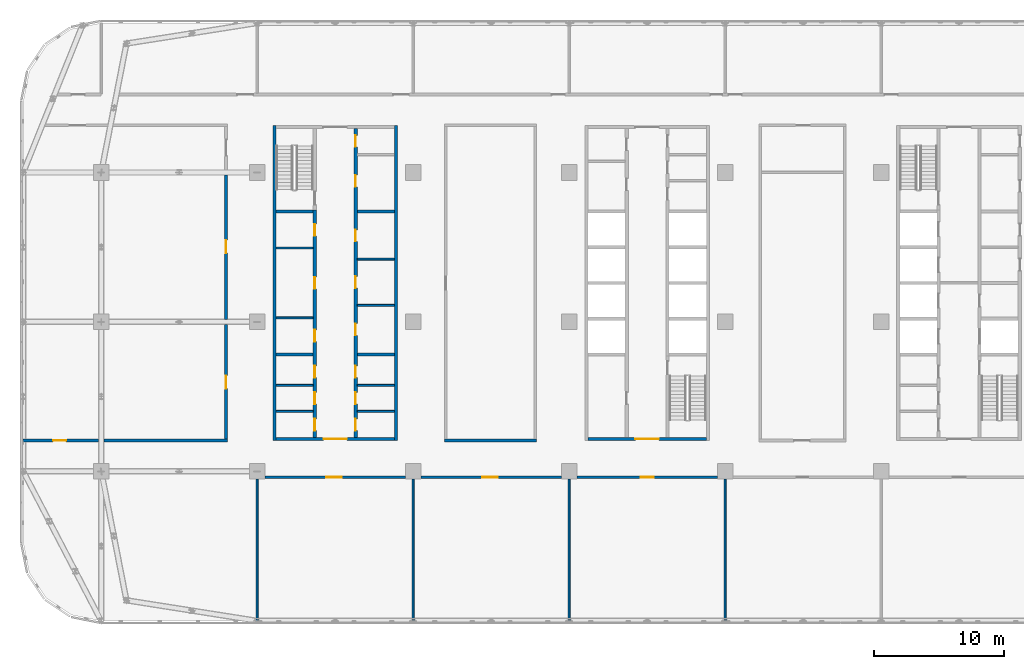
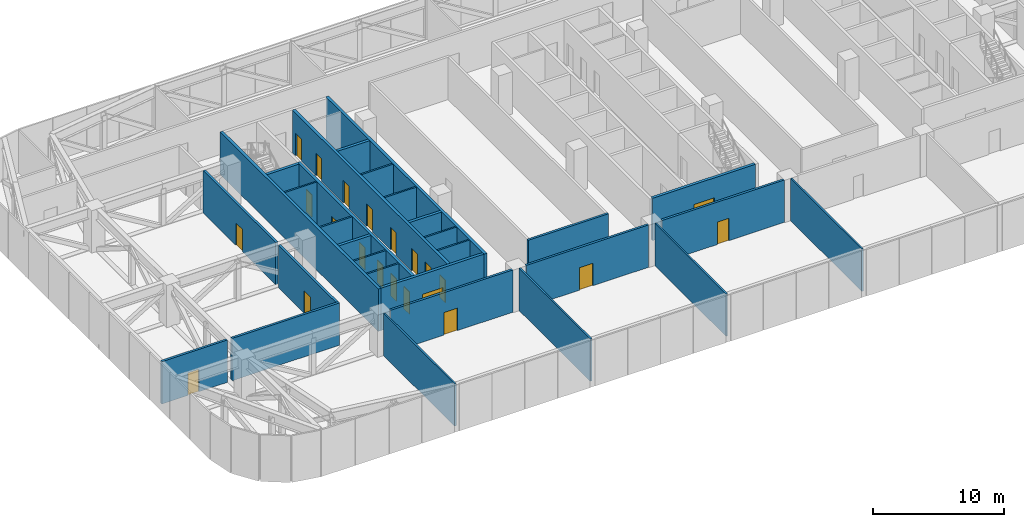
# One storey, part 9 of 26: 30 walls, 22 doors, 22 openings.
"""IFC4 building model written with IfcOpenShell, lengths in metres."""

from ifc_helpers import new_model, si_unit, direction, frame, frame_2d, origin, place, context, subcontext, project, spatial, rectangle, extrude, material, layer, layer_set, type_object, element, fill, save


model = new_model("IFC4")

# Units and contexts
model_context = context("Model", 3, precision=1e-05, world=origin(), true_north=direction((0.0, 1.0)))
body_context = subcontext(model_context, "Body", "Model", "MODEL_VIEW")
ifc_project = project(units=[si_unit("LENGTHUNIT", "METRE"), si_unit("AREAUNIT", "SQUARE_METRE"), si_unit("VOLUMEUNIT", "CUBIC_METRE"), si_unit("PLANEANGLEUNIT", "RADIAN"), si_unit("MASSUNIT", "GRAM", prefix="KILO")], contexts=[model_context])

# Site, building, storey
site_placement = place(None, origin())
site = spatial("IfcSite", under=ifc_project, at=site_placement, CompositionType="ELEMENT")
building_placement = place(site_placement, origin())
building = spatial("IfcBuilding", under=site, at=building_placement, Name="Mahtab Terrace Research Tower", CompositionType="ELEMENT")
storey_placement = place(building_placement, frame((0.0, 0.0, 189.60009765625)))
storey = spatial("IfcBuildingStorey", under=building, at=storey_placement, Name="L45", CompositionType="ELEMENT", Elevation=189.60009765625)

# Walls
ifc_material_1 = material(Name="Gypsum board partition")
ifc_layer_1 = layer(ifc_material_1, 0.14990234375)
ifc_layer_set_1 = layer_set([ifc_layer_1], Name="Core partition 150")
wall_type_1 = type_object("IfcWallType", Name="Core partition 150", PredefinedType="PARTITIONING", material=ifc_layer_set_1)
for number, where, z_axis, x_axis, name in (
    (1, (-28.550048828125, 0.3125, 0.0), (0.0, 0.0, 1.0), (1.0, 0.0, 0.0), "Core wall A pWL-269"),
    (2, (-28.550048828125, 5.6875, 0.0), (0.0, 0.0, 1.0), (1.0, 0.0, 0.0), "Core wall A pWL269"),
    (3, (-22.300048828125, 1.280029296875, 0.0), (0.0, 0.0, 1.0), (1.0, 0.0, 0.0), "Core wall A pEL-172"),
    (4, (-22.300048828125, 4.827392578125, 0.0), (0.0, 0.0, 1.0), (1.0, 0.0, 0.0), "Core wall A pEL183"),
    (5, (-28.550048828125, -6.875, 0.0), (0.0, 0.0, 1.0), (1.0, 0.0, 0.0), "Core wall A pWS-988"),
    (6, (-28.550048828125, -4.875, 0.0), (0.0, 0.0, 1.0), (1.0, 0.0, 0.0), "Core wall A pWS-788"),
    (7, (-22.300048828125, -6.875, 0.0), (0.0, 0.0, 1.0), (1.0, 0.0, 0.0), "Core wall A pES-988"),
    (8, (-22.300048828125, -4.875, 0.0), (0.0, 0.0, 1.0), (1.0, 0.0, 0.0), "Core wall A pES-788"),
):
    element("IfcWall", number, at=place(storey_placement, frame(where, z_axis=z_axis, x_axis=x_axis)), inside=storey, type_object=wall_type_1, Name=name, PredefinedType="PARTITIONING", context=body_context, shape_type="SweptSolid", body=[
        extrude(rectangle(XDim=2.85009765625, YDim=0.14990234375, at=frame_2d((1.425048828125, 0.0))), origin(), (0.0, 0.0, 1.0), 3.9599609375),
    ])
ifc_material_2 = material(Name="Concrete C70/85", Category="concrete")
ifc_layer_2 = layer(ifc_material_2, 0.25)
ifc_layer_set_2 = layer_set([ifc_layer_2], Name="Core wall 250")
wall_type_2 = type_object("IfcWallType", Name="Core wall 250", PredefinedType="SOLIDWALL", material=ifc_layer_set_2)
for number, where, z_axis, x_axis, name in (
    (9, (-28.675048828125, 15.125, 0.0), (0.0, 0.0, 1.0), (0.0, -1.0, 0.0), "Core wall A outerW"),
    (10, (-19.324951171875, -9.125, 0.0), (0.0, 0.0, 1.0), (0.0, 1.0, 0.0), "Core wall A outerE"),
):
    element("IfcWall", number, at=place(storey_placement, frame(where, z_axis=z_axis, x_axis=x_axis)), inside=storey, type_object=wall_type_2, Name=name, PredefinedType="SOLIDWALL", context=body_context, shape_type="SweptSolid", body=[
        extrude(rectangle(XDim=24.25, YDim=0.25, at=frame_2d((12.125, 0.0))), origin(), (0.0, 0.0, 1.0), 3.9599609375),
    ])

# Wall, opening, door
wall_1_placement = place(storey_placement, frame((-19.449951171875, -9.0, 0.0), z_axis=(0.0, 0.0, 1.0), x_axis=(-1.0, 0.0, 0.0)))
wall_1 = element("IfcWall", 11, at=wall_1_placement, inside=storey, type_object=wall_type_2, Name="Core wall A endS", PredefinedType="SOLIDWALL", context=body_context, shape_type="SweptSolid", body=[
    extrude(rectangle(XDim=9.10009765625, YDim=0.25, at=frame_2d((4.550048828125, 0.0))), origin(), (0.0, 0.0, 1.0), 3.9599609375),
])
opening_1_placement = place(wall_1_placement, frame((3.64990234375, 0.0, 0.0)))
opening_1 = element("IfcOpeningElement", 12, at=opening_1_placement, cuts=wall_1, Name="Opening A-S1", PredefinedType="OPENING", context=body_context, shape_type="SweptSolid", body=[
    extrude(rectangle(XDim=1.800048828125, YDim=2.10009765625, at=frame_2d((0.89990234375, 1.050048828125))), frame((0.0, 0.135009765625, 0.0), z_axis=(0.0, -1.0, 0.0), x_axis=(1.0, 0.0, 0.0)), (0.0, 0.0, 1.0), 0.27001953125),
])
ifc_material_3 = material(Name="Steel fire door", Category="steel")
door_type_1 = type_object("IfcDoorType", Name="Lobby double door 1800x2100 1 HR", OperationType="DOUBLE_DOOR_SINGLE_SWING", PredefinedType="DOOR", material=ifc_material_3)
door_1_placement = place(opening_1_placement, origin())
door_1 = element("IfcDoor", 13, at=door_1_placement, inside=storey, type_object=door_type_1, Name="Core entrance door A S", OperationType="DOUBLE_DOOR_SINGLE_SWING", OverallHeight=2.10009765625, OverallWidth=1.800048828125, PredefinedType="DOOR", context=body_context, shape_type="SweptSolid", body=[
    extrude(rectangle(XDim=1.800048828125, YDim=2.10009765625, at=frame_2d((0.89990234375, 1.050048828125))), frame((0.0, 0.02490234375, 0.0), z_axis=(0.0, -1.0, 0.0), x_axis=(1.0, 0.0, 0.0)), (0.0, 0.0, 1.0), 0.050048828125),
])
fill(opening_1, door_1)

# Wall, openings, doors
wall_2_placement = place(storey_placement, frame((-25.574951171875, -8.875, 0.0), z_axis=(0.0, 0.0, 1.0), x_axis=(0.0, 1.0, 0.0)))
wall_2 = element("IfcWall", 14, at=wall_2_placement, inside=storey, type_object=wall_type_2, Name="Core wall A innerWSL", PredefinedType="SOLIDWALL", context=body_context, shape_type="SweptSolid", body=[
    extrude(rectangle(XDim=17.5, YDim=0.25, at=frame_2d((8.75, 0.0))), origin(), (0.0, 0.0, 1.0), 3.9599609375),
])
opening_2_placement = place(wall_2_placement, frame((7.356201171875, 0.0, 0.0)))
opening_2 = element("IfcOpeningElement", 15, at=opening_2_placement, cuts=wall_2, Name="Opening A-R1", PredefinedType="OPENING", context=body_context, shape_type="SweptSolid", body=[
    extrude(rectangle(XDim=0.89990234375, YDim=2.10009765625, at=frame_2d((0.449951171875, 1.050048828125))), frame((0.0, 0.135009765625, 0.0), z_axis=(0.0, -1.0, 0.0), x_axis=(1.0, 0.0, 0.0)), (0.0, 0.0, 1.0), 0.27001953125),
])
opening_3_placement = place(wall_2_placement, frame((11.425048828125, 0.0, 0.0)))
opening_3 = element("IfcOpeningElement", 16, at=opening_3_placement, cuts=wall_2, Name="Opening A-R2", PredefinedType="OPENING", context=body_context, shape_type="SweptSolid", body=[
    extrude(rectangle(XDim=0.89990234375, YDim=2.10009765625, at=frame_2d((0.449951171875, 1.050048828125))), frame((0.0, 0.135009765625, 0.0), z_axis=(0.0, -1.0, 0.0), x_axis=(1.0, 0.0, 0.0)), (0.0, 0.0, 1.0), 0.27001953125),
])
opening_4_placement = place(wall_2_placement, frame((15.493896484375, 0.0, 0.0)))
opening_4 = element("IfcOpeningElement", 17, at=opening_4_placement, cuts=wall_2, Name="Opening A-R3", PredefinedType="OPENING", context=body_context, shape_type="SweptSolid", body=[
    extrude(rectangle(XDim=0.89990234375, YDim=2.10009765625, at=frame_2d((0.449951171875, 1.050048828125))), frame((0.0, 0.135009765625, 0.0), z_axis=(0.0, -1.0, 0.0), x_axis=(1.0, 0.0, 0.0)), (0.0, 0.0, 1.0), 0.27001953125),
])
opening_5_placement = place(wall_2_placement, frame((0.512451171875, 0.0, 0.0)))
opening_5 = element("IfcOpeningElement", 18, at=opening_5_placement, cuts=wall_2, Name="Opening A-R7", PredefinedType="OPENING", context=body_context, shape_type="SweptSolid", body=[
    extrude(rectangle(XDim=0.89990234375, YDim=2.10009765625, at=frame_2d((0.449951171875, 1.050048828125))), frame((0.0, 0.135009765625, 0.0), z_axis=(0.0, -1.0, 0.0), x_axis=(1.0, 0.0, 0.0)), (0.0, 0.0, 1.0), 0.27001953125),
])
opening_6_placement = place(wall_2_placement, frame((2.550048828125, 0.0, 0.0)))
opening_6 = element("IfcOpeningElement", 19, at=opening_6_placement, cuts=wall_2, Name="Opening A-R8", PredefinedType="OPENING", context=body_context, shape_type="SweptSolid", body=[
    extrude(rectangle(XDim=0.89990234375, YDim=2.10009765625, at=frame_2d((0.449951171875, 1.050048828125))), frame((0.0, 0.135009765625, 0.0), z_axis=(0.0, -1.0, 0.0), x_axis=(1.0, 0.0, 0.0)), (0.0, 0.0, 1.0), 0.27001953125),
])
opening_7_placement = place(wall_2_placement, frame((4.58740234375, 0.0, 0.0)))
opening_7 = element("IfcOpeningElement", 20, at=opening_7_placement, cuts=wall_2, Name="Opening A-R9", PredefinedType="OPENING", context=body_context, shape_type="SweptSolid", body=[
    extrude(rectangle(XDim=0.89990234375, YDim=2.10009765625, at=frame_2d((0.449951171875, 1.050048828125))), frame((0.0, 0.135009765625, 0.0), z_axis=(0.0, -1.0, 0.0), x_axis=(1.0, 0.0, 0.0)), (0.0, 0.0, 1.0), 0.27001953125),
])
door_type_2 = type_object("IfcDoorType", Name="Room door 900x2100 1 HR", OperationType="NOTDEFINED", PredefinedType="DOOR", material=ifc_material_3)
door_2_placement = place(opening_2_placement, origin())
door_2 = element("IfcDoor", 21, at=door_2_placement, inside=storey, type_object=door_type_2, Name="Comms room door", OperationType="SINGLE_SWING_LEFT", OverallHeight=2.10009765625, OverallWidth=0.89990234375, PredefinedType="DOOR", context=body_context, shape_type="SweptSolid", body=[
    extrude(rectangle(XDim=0.89990234375, YDim=2.10009765625, at=frame_2d((0.449951171875, 1.050048828125))), frame((0.0, 0.02490234375, 0.0), z_axis=(0.0, -1.0, 0.0), x_axis=(1.0, 0.0, 0.0)), (0.0, 0.0, 1.0), 0.050048828125),
])
fill(opening_2, door_2)
door_3_placement = place(opening_3_placement, origin())
door_3 = element("IfcDoor", 22, at=door_3_placement, inside=storey, type_object=door_type_2, Name="Meeting alcove door", OperationType="SINGLE_SWING_RIGHT", OverallHeight=2.10009765625, OverallWidth=0.89990234375, PredefinedType="DOOR", context=body_context, shape_type="SweptSolid", body=[
    extrude(rectangle(XDim=0.89990234375, YDim=2.10009765625, at=frame_2d((0.449951171875, 1.050048828125))), frame((0.0, 0.02490234375, 0.0), z_axis=(0.0, -1.0, 0.0), x_axis=(1.0, 0.0, 0.0)), (0.0, 0.0, 1.0), 0.050048828125),
])
fill(opening_3, door_3)
door_4_placement = place(opening_4_placement, origin())
door_4 = element("IfcDoor", 23, at=door_4_placement, inside=storey, type_object=door_type_2, Name="Linen store door", OperationType="SINGLE_SWING_LEFT", OverallHeight=2.10009765625, OverallWidth=0.89990234375, PredefinedType="DOOR", context=body_context, shape_type="SweptSolid", body=[
    extrude(rectangle(XDim=0.89990234375, YDim=2.10009765625, at=frame_2d((0.449951171875, 1.050048828125))), frame((0.0, 0.02490234375, 0.0), z_axis=(0.0, -1.0, 0.0), x_axis=(1.0, 0.0, 0.0)), (0.0, 0.0, 1.0), 0.050048828125),
])
fill(opening_4, door_4)
door_5_placement = place(opening_5_placement, origin())
door_5 = element("IfcDoor", 24, at=door_5_placement, inside=storey, type_object=door_type_2, Name="Male WC door", OperationType="SINGLE_SWING_LEFT", OverallHeight=2.10009765625, OverallWidth=0.89990234375, PredefinedType="DOOR", context=body_context, shape_type="SweptSolid", body=[
    extrude(rectangle(XDim=0.89990234375, YDim=2.10009765625, at=frame_2d((0.449951171875, 1.050048828125))), frame((0.0, 0.02490234375, 0.0), z_axis=(0.0, -1.0, 0.0), x_axis=(1.0, 0.0, 0.0)), (0.0, 0.0, 1.0), 0.050048828125),
])
fill(opening_5, door_5)
door_6_placement = place(opening_6_placement, origin())
door_6 = element("IfcDoor", 25, at=door_6_placement, inside=storey, type_object=door_type_2, Name="Female WC door", OperationType="SINGLE_SWING_RIGHT", OverallHeight=2.10009765625, OverallWidth=0.89990234375, PredefinedType="DOOR", context=body_context, shape_type="SweptSolid", body=[
    extrude(rectangle(XDim=0.89990234375, YDim=2.10009765625, at=frame_2d((0.449951171875, 1.050048828125))), frame((0.0, 0.02490234375, 0.0), z_axis=(0.0, -1.0, 0.0), x_axis=(1.0, 0.0, 0.0)), (0.0, 0.0, 1.0), 0.050048828125),
])
fill(opening_6, door_6)
door_7_placement = place(opening_7_placement, origin())
door_7 = element("IfcDoor", 26, at=door_7_placement, inside=storey, type_object=door_type_2, Name="Accessible WC door", OperationType="SINGLE_SWING_LEFT", OverallHeight=2.10009765625, OverallWidth=0.89990234375, PredefinedType="DOOR", context=body_context, shape_type="SweptSolid", body=[
    extrude(rectangle(XDim=0.89990234375, YDim=2.10009765625, at=frame_2d((0.449951171875, 1.050048828125))), frame((0.0, 0.02490234375, 0.0), z_axis=(0.0, -1.0, 0.0), x_axis=(1.0, 0.0, 0.0)), (0.0, 0.0, 1.0), 0.050048828125),
])
fill(opening_7, door_7)

wall_3_placement = place(storey_placement, frame((-22.425048828125, 14.875, 0.0), z_axis=(0.0, 0.0, 1.0), x_axis=(0.0, -1.0, 0.0)))
wall_3 = element("IfcWall", 27, at=wall_3_placement, inside=storey, type_object=wall_type_2, Name="Core wall A innerESLN", PredefinedType="SOLIDWALL", context=body_context, shape_type="SweptSolid", body=[
    extrude(rectangle(XDim=23.75, YDim=0.25, at=frame_2d((11.875, 0.0))), origin(), (0.0, 0.0, 1.0), 3.9599609375),
])
opening_8_placement = place(wall_3_placement, frame((15.010009765625, 0.0, 0.0)))
opening_8 = element("IfcOpeningElement", 28, at=opening_8_placement, cuts=wall_3, Name="Opening A-R4", PredefinedType="OPENING", context=body_context, shape_type="SweptSolid", body=[
    extrude(rectangle(XDim=0.89990234375, YDim=2.10009765625, at=frame_2d((0.449951171875, 1.050048828125))), frame((0.0, 0.135009765625, 0.0), z_axis=(0.0, -1.0, 0.0), x_axis=(1.0, 0.0, 0.0)), (0.0, 0.0, 1.0), 0.27001953125),
])
opening_9_placement = place(wall_3_placement, frame((11.37109375, 0.0, 0.0)))
opening_9 = element("IfcOpeningElement", 29, at=opening_9_placement, cuts=wall_3, Name="Opening A-R5", PredefinedType="OPENING", context=body_context, shape_type="SweptSolid", body=[
    extrude(rectangle(XDim=0.89990234375, YDim=2.10009765625, at=frame_2d((0.449951171875, 1.050048828125))), frame((0.0, 0.135009765625, 0.0), z_axis=(0.0, -1.0, 0.0), x_axis=(1.0, 0.0, 0.0)), (0.0, 0.0, 1.0), 0.27001953125),
])
opening_10_placement = place(wall_3_placement, frame((7.7861328125, 0.0, 0.0)))
opening_10 = element("IfcOpeningElement", 30, at=opening_10_placement, cuts=wall_3, Name="Opening A-R6", PredefinedType="OPENING", context=body_context, shape_type="SweptSolid", body=[
    extrude(rectangle(XDim=0.89990234375, YDim=2.10009765625, at=frame_2d((0.449951171875, 1.050048828125))), frame((0.0, 0.135009765625, 0.0), z_axis=(0.0, -1.0, 0.0), x_axis=(1.0, 0.0, 0.0)), (0.0, 0.0, 1.0), 0.27001953125),
])
opening_11_placement = place(wall_3_placement, frame((22.33740234375, 0.0, 0.0)))
opening_11 = element("IfcOpeningElement", 31, at=opening_11_placement, cuts=wall_3, Name="Opening A-R10", PredefinedType="OPENING", context=body_context, shape_type="SweptSolid", body=[
    extrude(rectangle(XDim=0.89990234375, YDim=2.10009765625, at=frame_2d((0.449951171875, 1.050048828125))), frame((0.0, 0.135009765625, 0.0), z_axis=(0.0, -1.0, 0.0), x_axis=(1.0, 0.0, 0.0)), (0.0, 0.0, 1.0), 0.27001953125),
])
opening_12_placement = place(wall_3_placement, frame((20.300048828125, 0.0, 0.0)))
opening_12 = element("IfcOpeningElement", 32, at=opening_12_placement, cuts=wall_3, Name="Opening A-R11", PredefinedType="OPENING", context=body_context, shape_type="SweptSolid", body=[
    extrude(rectangle(XDim=0.89990234375, YDim=2.10009765625, at=frame_2d((0.449951171875, 1.050048828125))), frame((0.0, 0.135009765625, 0.0), z_axis=(0.0, -1.0, 0.0), x_axis=(1.0, 0.0, 0.0)), (0.0, 0.0, 1.0), 0.27001953125),
])
opening_13_placement = place(wall_3_placement, frame((18.262451171875, 0.0, 0.0)))
opening_13 = element("IfcOpeningElement", 33, at=opening_13_placement, cuts=wall_3, Name="Opening A-R12", PredefinedType="OPENING", context=body_context, shape_type="SweptSolid", body=[
    extrude(rectangle(XDim=0.89990234375, YDim=2.10009765625, at=frame_2d((0.449951171875, 1.050048828125))), frame((0.0, 0.135009765625, 0.0), z_axis=(0.0, -1.0, 0.0), x_axis=(1.0, 0.0, 0.0)), (0.0, 0.0, 1.0), 0.27001953125),
])
opening_14_placement = place(wall_3_placement, frame((3.58740234375, 0.0, 0.0)))
opening_14 = element("IfcOpeningElement", 34, at=opening_14_placement, cuts=wall_3, Name="Opening A-R13", PredefinedType="OPENING", context=body_context, shape_type="SweptSolid", body=[
    extrude(rectangle(XDim=0.89990234375, YDim=2.10009765625, at=frame_2d((0.449951171875, 1.050048828125))), frame((0.0, 0.135009765625, 0.0), z_axis=(0.0, -1.0, 0.0), x_axis=(1.0, 0.0, 0.0)), (0.0, 0.0, 1.0), 0.27001953125),
])
opening_15_placement = place(wall_3_placement, frame((0.512451171875, 0.0, 0.0)))
opening_15 = element("IfcOpeningElement", 35, at=opening_15_placement, cuts=wall_3, Name="Opening A-R14", PredefinedType="OPENING", context=body_context, shape_type="SweptSolid", body=[
    extrude(rectangle(XDim=0.89990234375, YDim=2.10009765625, at=frame_2d((0.449951171875, 1.050048828125))), frame((0.0, 0.135009765625, 0.0), z_axis=(0.0, -1.0, 0.0), x_axis=(1.0, 0.0, 0.0)), (0.0, 0.0, 1.0), 0.27001953125),
])
door_8_placement = place(opening_8_placement, origin())
door_8 = element("IfcDoor", 36, at=door_8_placement, inside=storey, type_object=door_type_2, Name="Battery room door", OperationType="SINGLE_SWING_RIGHT", OverallHeight=2.10009765625, OverallWidth=0.89990234375, PredefinedType="DOOR", context=body_context, shape_type="SweptSolid", body=[
    extrude(rectangle(XDim=0.89990234375, YDim=2.10009765625, at=frame_2d((0.449951171875, 1.050048828125))), frame((0.0, 0.02490234375, 0.0), z_axis=(0.0, -1.0, 0.0), x_axis=(1.0, 0.0, 0.0)), (0.0, 0.0, 1.0), 0.050048828125),
])
fill(opening_8, door_8)
door_9_placement = place(opening_9_placement, origin())
door_9 = element("IfcDoor", 37, at=door_9_placement, inside=storey, type_object=door_type_2, Name="Cooling plant room door", OperationType="SINGLE_SWING_LEFT", OverallHeight=2.10009765625, OverallWidth=0.89990234375, PredefinedType="DOOR", context=body_context, shape_type="SweptSolid", body=[
    extrude(rectangle(XDim=0.89990234375, YDim=2.10009765625, at=frame_2d((0.449951171875, 1.050048828125))), frame((0.0, 0.02490234375, 0.0), z_axis=(0.0, -1.0, 0.0), x_axis=(1.0, 0.0, 0.0)), (0.0, 0.0, 1.0), 0.050048828125),
])
fill(opening_9, door_9)
door_10_placement = place(opening_10_placement, origin())
door_10 = element("IfcDoor", 38, at=door_10_placement, inside=storey, type_object=door_type_2, Name="Spare parts store door", OperationType="SINGLE_SWING_RIGHT", OverallHeight=2.10009765625, OverallWidth=0.89990234375, PredefinedType="DOOR", context=body_context, shape_type="SweptSolid", body=[
    extrude(rectangle(XDim=0.89990234375, YDim=2.10009765625, at=frame_2d((0.449951171875, 1.050048828125))), frame((0.0, 0.02490234375, 0.0), z_axis=(0.0, -1.0, 0.0), x_axis=(1.0, 0.0, 0.0)), (0.0, 0.0, 1.0), 0.050048828125),
])
fill(opening_10, door_10)
door_11_placement = place(opening_11_placement, origin())
door_11 = element("IfcDoor", 39, at=door_11_placement, inside=storey, type_object=door_type_2, Name="Comms riser room door", OperationType="SINGLE_SWING_RIGHT", OverallHeight=2.10009765625, OverallWidth=0.89990234375, PredefinedType="DOOR", context=body_context, shape_type="SweptSolid", body=[
    extrude(rectangle(XDim=0.89990234375, YDim=2.10009765625, at=frame_2d((0.449951171875, 1.050048828125))), frame((0.0, 0.02490234375, 0.0), z_axis=(0.0, -1.0, 0.0), x_axis=(1.0, 0.0, 0.0)), (0.0, 0.0, 1.0), 0.050048828125),
])
fill(opening_11, door_11)
door_12_placement = place(opening_12_placement, origin())
door_12 = element("IfcDoor", 40, at=door_12_placement, inside=storey, type_object=door_type_2, Name="Pantry door", OperationType="SINGLE_SWING_LEFT", OverallHeight=2.10009765625, OverallWidth=0.89990234375, PredefinedType="DOOR", context=body_context, shape_type="SweptSolid", body=[
    extrude(rectangle(XDim=0.89990234375, YDim=2.10009765625, at=frame_2d((0.449951171875, 1.050048828125))), frame((0.0, 0.02490234375, 0.0), z_axis=(0.0, -1.0, 0.0), x_axis=(1.0, 0.0, 0.0)), (0.0, 0.0, 1.0), 0.050048828125),
])
fill(opening_12, door_12)
door_13_placement = place(opening_13_placement, origin())
door_13 = element("IfcDoor", 41, at=door_13_placement, inside=storey, type_object=door_type_2, Name="Cleaners store door", OperationType="SINGLE_SWING_RIGHT", OverallHeight=2.10009765625, OverallWidth=0.89990234375, PredefinedType="DOOR", context=body_context, shape_type="SweptSolid", body=[
    extrude(rectangle(XDim=0.89990234375, YDim=2.10009765625, at=frame_2d((0.449951171875, 1.050048828125))), frame((0.0, 0.02490234375, 0.0), z_axis=(0.0, -1.0, 0.0), x_axis=(1.0, 0.0, 0.0)), (0.0, 0.0, 1.0), 0.050048828125),
])
fill(opening_13, door_13)
door_14_placement = place(opening_14_placement, origin())
door_14 = element("IfcDoor", 42, at=door_14_placement, inside=storey, type_object=door_type_2, Name="IT equipment room door", OperationType="SINGLE_SWING_LEFT", OverallHeight=2.10009765625, OverallWidth=0.89990234375, PredefinedType="DOOR", context=body_context, shape_type="SweptSolid", body=[
    extrude(rectangle(XDim=0.89990234375, YDim=2.10009765625, at=frame_2d((0.449951171875, 1.050048828125))), frame((0.0, 0.02490234375, 0.0), z_axis=(0.0, -1.0, 0.0), x_axis=(1.0, 0.0, 0.0)), (0.0, 0.0, 1.0), 0.050048828125),
])
fill(opening_14, door_14)
door_15_placement = place(opening_15_placement, origin())
door_15 = element("IfcDoor", 43, at=door_15_placement, inside=storey, type_object=door_type_2, Name="Electrical riser room door", OperationType="SINGLE_SWING_RIGHT", OverallHeight=2.10009765625, OverallWidth=0.89990234375, PredefinedType="DOOR", context=body_context, shape_type="SweptSolid", body=[
    extrude(rectangle(XDim=0.89990234375, YDim=2.10009765625, at=frame_2d((0.449951171875, 1.050048828125))), frame((0.0, 0.02490234375, 0.0), z_axis=(0.0, -1.0, 0.0), x_axis=(1.0, 0.0, 0.0)), (0.0, 0.0, 1.0), 0.050048828125),
])
fill(opening_15, door_15)

# Walls
for number, where, z_axis, x_axis, name in (
    (44, (-28.550048828125, -2.5, 0.0), (0.0, 0.0, 1.0), (1.0, 0.0, 0.0), "Core wall A divW0"),
    (45, (-28.550048828125, 8.5, 0.0), (0.0, 0.0, 1.0), (1.0, 0.0, 0.0), "Core wall A divW4"),
    (46, (-22.300048828125, -2.5, 0.0), (0.0, 0.0, 1.0), (1.0, 0.0, 0.0), "Core wall A divE0"),
    (47, (-22.300048828125, 8.5, 0.0), (0.0, 0.0, 1.0), (1.0, 0.0, 0.0), "Core wall A divE4"),
):
    element("IfcWall", number, at=place(storey_placement, frame(where, z_axis=z_axis, x_axis=x_axis)), inside=storey, type_object=wall_type_2, Name=name, PredefinedType="SOLIDWALL", context=body_context, shape_type="SweptSolid", body=[
        extrude(rectangle(XDim=2.85009765625, YDim=0.25, at=frame_2d((1.425048828125, 0.0))), origin(), (0.0, 0.0, 1.0), 3.9599609375),
    ])

# Wall, opening, door
wall_4_placement = place(storey_placement, frame((4.550048828125, -9.0, 0.0), z_axis=(0.0, 0.0, 1.0), x_axis=(-1.0, 0.0, 0.0)))
wall_4 = element("IfcWall", 48, at=wall_4_placement, inside=storey, type_object=wall_type_2, Name="Core wall B endS", PredefinedType="SOLIDWALL", context=body_context, shape_type="SweptSolid", body=[
    extrude(rectangle(XDim=9.10009765625, YDim=0.25, at=frame_2d((4.550048828125, 0.0))), origin(), (0.0, 0.0, 1.0), 3.9599609375),
])
opening_16_placement = place(wall_4_placement, frame((3.64990234375, 0.0, 0.0)))
opening_16 = element("IfcOpeningElement", 49, at=opening_16_placement, cuts=wall_4, Name="Opening B-S1", PredefinedType="OPENING", context=body_context, shape_type="SweptSolid", body=[
    extrude(rectangle(XDim=1.800048828125, YDim=2.10009765625, at=frame_2d((0.89990234375, 1.050048828125))), frame((0.0, 0.135009765625, 0.0), z_axis=(0.0, -1.0, 0.0), x_axis=(1.0, 0.0, 0.0)), (0.0, 0.0, 1.0), 0.27001953125),
])
door_16_placement = place(opening_16_placement, origin())
door_16 = element("IfcDoor", 50, at=door_16_placement, inside=storey, type_object=door_type_1, Name="Core entrance door B S", OperationType="DOUBLE_DOOR_SINGLE_SWING", OverallHeight=2.10009765625, OverallWidth=1.800048828125, PredefinedType="DOOR", context=body_context, shape_type="SweptSolid", body=[
    extrude(rectangle(XDim=1.800048828125, YDim=2.10009765625, at=frame_2d((0.89990234375, 1.050048828125))), frame((0.0, 0.02490234375, 0.0), z_axis=(0.0, -1.0, 0.0), x_axis=(1.0, 0.0, 0.0)), (0.0, 0.0, 1.0), 0.050048828125),
])
fill(opening_16, door_16)

ifc_material_4 = material(Name="Gypsum board corridor wall on steel studs", Category="steel")
ifc_layer_3 = layer(ifc_material_4, 0.199951171875)
ifc_layer_set_3 = layer_set([ifc_layer_3], Name="WALL CORRIDOR 200")
wall_type_3 = type_object("IfcWallType", Name="WALL CORRIDOR 200", PredefinedType="PARTITIONING", material=ifc_layer_set_3)
wall_5_placement = place(storey_placement, frame((-29.39990234375, -11.949951171875, 0.0), z_axis=(0.0, 0.0, 1.0), x_axis=(1.0, 0.0, 0.0)))
wall_5 = element("IfcWall", 51, at=wall_5_placement, inside=storey, type_object=wall_type_3, Name="L45-W001", PredefinedType="PARTITIONING", context=body_context, shape_type="SweptSolid", body=[
    extrude(rectangle(XDim=10.7998046875, YDim=0.199951171875, at=frame_2d((5.39990234375, 0.0))), origin(), (0.0, 0.0, 1.0), 3.9599609375),
])
opening_17_placement = place(wall_5_placement, frame((4.699951171875, 0.0, 0.0)))
opening_17 = element("IfcOpeningElement", 52, at=opening_17_placement, cuts=wall_5, Name="Opening L45-101", PredefinedType="OPENING", context=body_context, shape_type="SweptSolid", body=[
    extrude(rectangle(XDim=1.199951171875, YDim=2.10009765625, at=frame_2d((0.60009765625, 1.050048828125))), frame((0.0, 0.10986328125, 0.0), z_axis=(0.0, -1.0, 0.0), x_axis=(1.0, 0.0, 0.0)), (0.0, 0.0, 1.0), 0.219970703125),
])
ifc_material_5 = material(Name="Timber door leaf in steel frame", Category="steel")
door_type_3 = type_object("IfcDoorType", Name="DOOR 1200X2100 FD30S", OperationType="SINGLE_SWING_LEFT", PredefinedType="DOOR", material=ifc_material_5)
door_17_placement = place(opening_17_placement, origin())
door_17 = element("IfcDoor", 53, at=door_17_placement, inside=storey, type_object=door_type_3, Name="Door L45-101", OperationType="SINGLE_SWING_RIGHT", OverallHeight=2.10009765625, OverallWidth=1.199951171875, PredefinedType="DOOR", context=body_context, shape_type="SweptSolid", body=[
    extrude(rectangle(XDim=1.199951171875, YDim=2.10009765625, at=frame_2d((0.60009765625, 1.050048828125))), frame((0.0, 0.02490234375, 0.0), z_axis=(0.0, -1.0, 0.0), x_axis=(1.0, 0.0, 0.0)), (0.0, 0.0, 1.0), 0.050048828125),
])
fill(opening_17, door_17)

wall_6_placement = place(storey_placement, frame((-17.39990234375, -11.949951171875, 0.0), z_axis=(0.0, 0.0, 1.0), x_axis=(1.0, 0.0, 0.0)))
wall_6 = element("IfcWall", 54, at=wall_6_placement, inside=storey, type_object=wall_type_3, Name="L45-W002", PredefinedType="PARTITIONING", context=body_context, shape_type="SweptSolid", body=[
    extrude(rectangle(XDim=10.7998046875, YDim=0.199951171875, at=frame_2d((5.39990234375, 0.0))), origin(), (0.0, 0.0, 1.0), 3.9599609375),
])
opening_18_placement = place(wall_6_placement, frame((4.699951171875, 0.0, 0.0)))
opening_18 = element("IfcOpeningElement", 55, at=opening_18_placement, cuts=wall_6, Name="Opening L45-102", PredefinedType="OPENING", context=body_context, shape_type="SweptSolid", body=[
    extrude(rectangle(XDim=1.199951171875, YDim=2.10009765625, at=frame_2d((0.60009765625, 1.050048828125))), frame((0.0, 0.10986328125, 0.0), z_axis=(0.0, -1.0, 0.0), x_axis=(1.0, 0.0, 0.0)), (0.0, 0.0, 1.0), 0.219970703125),
])
door_18_placement = place(opening_18_placement, origin())
door_18 = element("IfcDoor", 56, at=door_18_placement, inside=storey, type_object=door_type_3, Name="Door L45-102", OperationType="SINGLE_SWING_RIGHT", OverallHeight=2.10009765625, OverallWidth=1.199951171875, PredefinedType="DOOR", context=body_context, shape_type="SweptSolid", body=[
    extrude(rectangle(XDim=1.199951171875, YDim=2.10009765625, at=frame_2d((0.60009765625, 1.050048828125))), frame((0.0, 0.02490234375, 0.0), z_axis=(0.0, -1.0, 0.0), x_axis=(1.0, 0.0, 0.0)), (0.0, 0.0, 1.0), 0.050048828125),
])
fill(opening_18, door_18)

wall_7_placement = place(storey_placement, frame((-5.39990234375, -11.949951171875, 0.0), z_axis=(0.0, 0.0, 1.0), x_axis=(1.0, 0.0, 0.0)))
wall_7 = element("IfcWall", 57, at=wall_7_placement, inside=storey, type_object=wall_type_3, Name="L45-W003", PredefinedType="PARTITIONING", context=body_context, shape_type="SweptSolid", body=[
    extrude(rectangle(XDim=10.7998046875, YDim=0.199951171875, at=frame_2d((5.39990234375, 0.0))), origin(), (0.0, 0.0, 1.0), 3.9599609375),
])
opening_19_placement = place(wall_7_placement, frame((4.89990234375, 0.0, 0.0)))
opening_19 = element("IfcOpeningElement", 58, at=opening_19_placement, cuts=wall_7, Name="Opening L45-103", PredefinedType="OPENING", context=body_context, shape_type="SweptSolid", body=[
    extrude(rectangle(XDim=1.0, YDim=2.10009765625, at=frame_2d((0.5, 1.050048828125))), frame((0.0, 0.10986328125, 0.0), z_axis=(0.0, -1.0, 0.0), x_axis=(1.0, 0.0, 0.0)), (0.0, 0.0, 1.0), 0.219970703125),
])
door_type_4 = type_object("IfcDoorType", Name="DOOR 1000X2100 FD30S", OperationType="SINGLE_SWING_LEFT", PredefinedType="DOOR", material=ifc_material_5)
door_19_placement = place(opening_19_placement, origin())
door_19 = element("IfcDoor", 59, at=door_19_placement, inside=storey, type_object=door_type_4, Name="Door L45-103", OperationType="SINGLE_SWING_RIGHT", OverallHeight=2.10009765625, OverallWidth=1.0, PredefinedType="DOOR", context=body_context, shape_type="SweptSolid", body=[
    extrude(rectangle(XDim=1.0, YDim=2.10009765625, at=frame_2d((0.5, 1.050048828125))), frame((0.0, 0.02490234375, 0.0), z_axis=(0.0, -1.0, 0.0), x_axis=(1.0, 0.0, 0.0)), (0.0, 0.0, 1.0), 0.050048828125),
])
fill(opening_19, door_19)

wall_8_placement = place(storey_placement, frame((-48.0, -9.125, 0.0), z_axis=(0.0, 0.0, 1.0), x_axis=(1.0, 0.0, 0.0)))
wall_8 = element("IfcWall", 60, at=wall_8_placement, inside=storey, type_object=wall_type_3, Name="L45-W006", PredefinedType="PARTITIONING", context=body_context, shape_type="SweptSolid", body=[
    extrude(rectangle(XDim=5.800048828125, YDim=0.199951171875, at=frame_2d((2.89990234375, 0.0))), origin(), (0.0, 0.0, 1.0), 3.9599609375),
])
opening_20_placement = place(wall_8_placement, frame((2.300048828125, 0.0, 0.0)))
opening_20 = element("IfcOpeningElement", 61, at=opening_20_placement, cuts=wall_8, Name="Opening L45-106", PredefinedType="OPENING", context=body_context, shape_type="SweptSolid", body=[
    extrude(rectangle(XDim=1.0, YDim=2.10009765625, at=frame_2d((0.5, 1.050048828125))), frame((0.0, 0.10986328125, 0.0), z_axis=(0.0, -1.0, 0.0), x_axis=(1.0, 0.0, 0.0)), (0.0, 0.0, 1.0), 0.219970703125),
])
door_20_placement = place(opening_20_placement, origin())
door_20 = element("IfcDoor", 62, at=door_20_placement, inside=storey, type_object=door_type_4, Name="Door L45-106", OperationType="SINGLE_SWING_LEFT", OverallHeight=2.10009765625, OverallWidth=1.0, PredefinedType="DOOR", context=body_context, shape_type="SweptSolid", body=[
    extrude(rectangle(XDim=1.0, YDim=2.10009765625, at=frame_2d((0.5, 1.050048828125))), frame((0.0, 0.02490234375, 0.0), z_axis=(0.0, -1.0, 0.0), x_axis=(1.0, 0.0, 0.0)), (0.0, 0.0, 1.0), 0.050048828125),
])
fill(opening_20, door_20)

# Walls
wall_9_placement = place(storey_placement, frame((-41.800048828125, -9.125, 0.0), z_axis=(0.0, 0.0, 1.0), x_axis=(1.0, 0.0, 0.0)))
element("IfcWall", 63, at=wall_9_placement, inside=storey, type_object=wall_type_3, Name="L45-W007", PredefinedType="PARTITIONING", context=body_context, shape_type="SweptSolid", body=[
    extrude(rectangle(XDim=9.5, YDim=0.199951171875, at=frame_2d((4.75, 0.0))), origin(), (0.0, 0.0, 1.0), 3.9599609375),
])
wall_10_placement = place(storey_placement, frame((-15.60009765625, -9.125, 0.0), z_axis=(0.0, 0.0, 1.0), x_axis=(1.0, 0.0, 0.0)))
element("IfcWall", 64, at=wall_10_placement, inside=storey, type_object=wall_type_3, Name="L45-W008", PredefinedType="PARTITIONING", context=body_context, shape_type="SweptSolid", body=[
    extrude(rectangle(XDim=7.10009765625, YDim=0.199951171875, at=frame_2d((3.550048828125, 0.0))), origin(), (0.0, 0.0, 1.0), 3.9599609375),
])

# Wall, opening, door
wall_11_placement = place(storey_placement, frame((-32.39990234375, -9.02490234375, 0.0), z_axis=(0.0, 0.0, 1.0), x_axis=(0.0, 1.0, 0.0)))
wall_11 = element("IfcWall", 65, at=wall_11_placement, inside=storey, type_object=wall_type_3, Name="L45-W026", PredefinedType="PARTITIONING", context=body_context, shape_type="SweptSolid", body=[
    extrude(rectangle(XDim=8.824951171875, YDim=0.199951171875, at=frame_2d((4.41259765625, 0.0))), origin(), (0.0, 0.0, 1.0), 3.9599609375),
])
opening_21_placement = place(wall_11_placement, frame((3.89990234375, 0.0, 0.0)))
opening_21 = element("IfcOpeningElement", 66, at=opening_21_placement, cuts=wall_11, Name="Opening L45-107", PredefinedType="OPENING", context=body_context, shape_type="SweptSolid", body=[
    extrude(rectangle(XDim=1.0, YDim=2.10009765625, at=frame_2d((0.5, 1.050048828125))), frame((0.0, 0.10986328125, 0.0), z_axis=(0.0, -1.0, 0.0), x_axis=(1.0, 0.0, 0.0)), (0.0, 0.0, 1.0), 0.219970703125),
])
door_21_placement = place(opening_21_placement, origin())
door_21 = element("IfcDoor", 67, at=door_21_placement, inside=storey, type_object=door_type_4, Name="Door L45-107", OperationType="SINGLE_SWING_LEFT", OverallHeight=2.10009765625, OverallWidth=1.0, PredefinedType="DOOR", context=body_context, shape_type="SweptSolid", body=[
    extrude(rectangle(XDim=1.0, YDim=2.10009765625, at=frame_2d((0.5, 1.050048828125))), frame((0.0, 0.02490234375, 0.0), z_axis=(0.0, -1.0, 0.0), x_axis=(1.0, 0.0, 0.0)), (0.0, 0.0, 1.0), 0.050048828125),
])
fill(opening_21, door_21)

wall_12_placement = place(storey_placement, frame((-32.39990234375, 0.199951171875, 0.0), z_axis=(0.0, 0.0, 1.0), x_axis=(0.0, 1.0, 0.0)))
wall_12 = element("IfcWall", 68, at=wall_12_placement, inside=storey, type_object=wall_type_3, Name="L45-W027", PredefinedType="PARTITIONING", context=body_context, shape_type="SweptSolid", body=[
    extrude(rectangle(XDim=11.10009765625, YDim=0.199951171875, at=frame_2d((5.550048828125, 0.0))), origin(), (0.0, 0.0, 1.0), 3.9599609375),
])
opening_22_placement = place(wall_12_placement, frame((5.10009765625, 0.0, 0.0)))
opening_22 = element("IfcOpeningElement", 69, at=opening_22_placement, cuts=wall_12, Name="Opening L45-109", PredefinedType="OPENING", context=body_context, shape_type="SweptSolid", body=[
    extrude(rectangle(XDim=1.0, YDim=2.10009765625, at=frame_2d((0.5, 1.050048828125))), frame((0.0, 0.10986328125, 0.0), z_axis=(0.0, -1.0, 0.0), x_axis=(1.0, 0.0, 0.0)), (0.0, 0.0, 1.0), 0.219970703125),
])
door_22_placement = place(opening_22_placement, origin())
door_22 = element("IfcDoor", 70, at=door_22_placement, inside=storey, type_object=door_type_4, Name="Door L45-109", OperationType="SINGLE_SWING_RIGHT", OverallHeight=2.10009765625, OverallWidth=1.0, PredefinedType="DOOR", context=body_context, shape_type="SweptSolid", body=[
    extrude(rectangle(XDim=1.0, YDim=2.10009765625, at=frame_2d((0.5, 1.050048828125))), frame((0.0, 0.02490234375, 0.0), z_axis=(0.0, -1.0, 0.0), x_axis=(1.0, 0.0, 0.0)), (0.0, 0.0, 1.0), 0.050048828125),
])
fill(opening_22, door_22)

# Walls
ifc_material_6 = material(Name="Gypsum board partition on steel studs", Category="steel")
ifc_layer_4 = layer(ifc_material_6, 0.14990234375)
ifc_layer_set_4 = layer_set([ifc_layer_4], Name="WALL PARTITION 150")
wall_type_4 = type_object("IfcWallType", Name="WALL PARTITION 150", PredefinedType="PARTITIONING", material=ifc_layer_set_4)
for number, where, z_axis, x_axis, name in (
    (71, (-30.0, -23.0, 0.0), (0.0, 0.0, 1.0), (0.0, 1.0, 0.0), "L45-W029"),
    (72, (-18.0, -23.0, 0.0), (0.0, 0.0, 1.0), (0.0, 1.0, 0.0), "L45-W031"),
    (73, (-6.0, -23.0, 0.0), (0.0, 0.0, 1.0), (0.0, 1.0, 0.0), "L45-W035"),
    (74, (6.0, -23.0, 0.0), (0.0, 0.0, 1.0), (0.0, 1.0, 0.0), "L45-W037"),
):
    element("IfcWall", number, at=place(storey_placement, frame(where, z_axis=z_axis, x_axis=x_axis)), inside=storey, type_object=wall_type_4, Name=name, PredefinedType="PARTITIONING", context=body_context, shape_type="SweptSolid", body=[
        extrude(rectangle(XDim=10.89990234375, YDim=0.14990234375, at=frame_2d((5.449951171875, 0.0))), origin(), (0.0, 0.0, 1.0), 3.9599609375),
    ])

save(model, "model.ifc")
